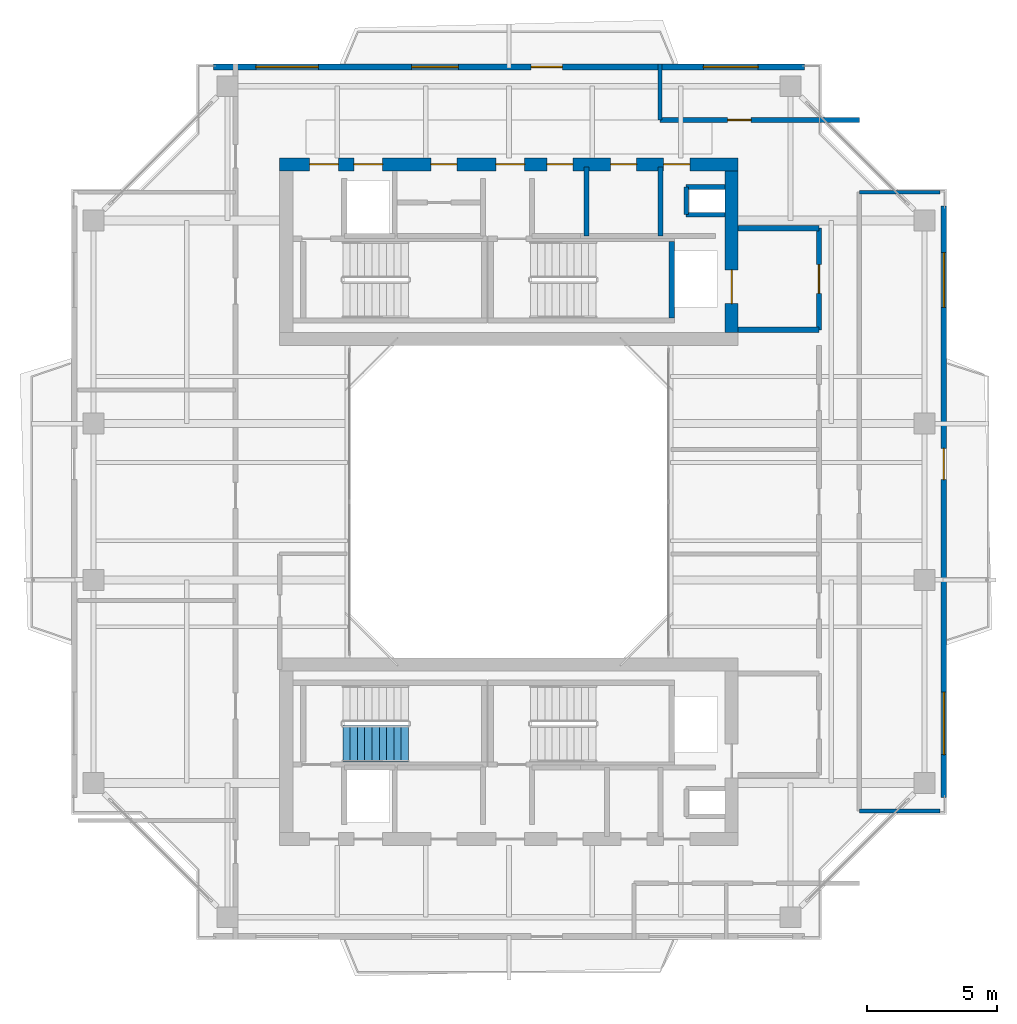
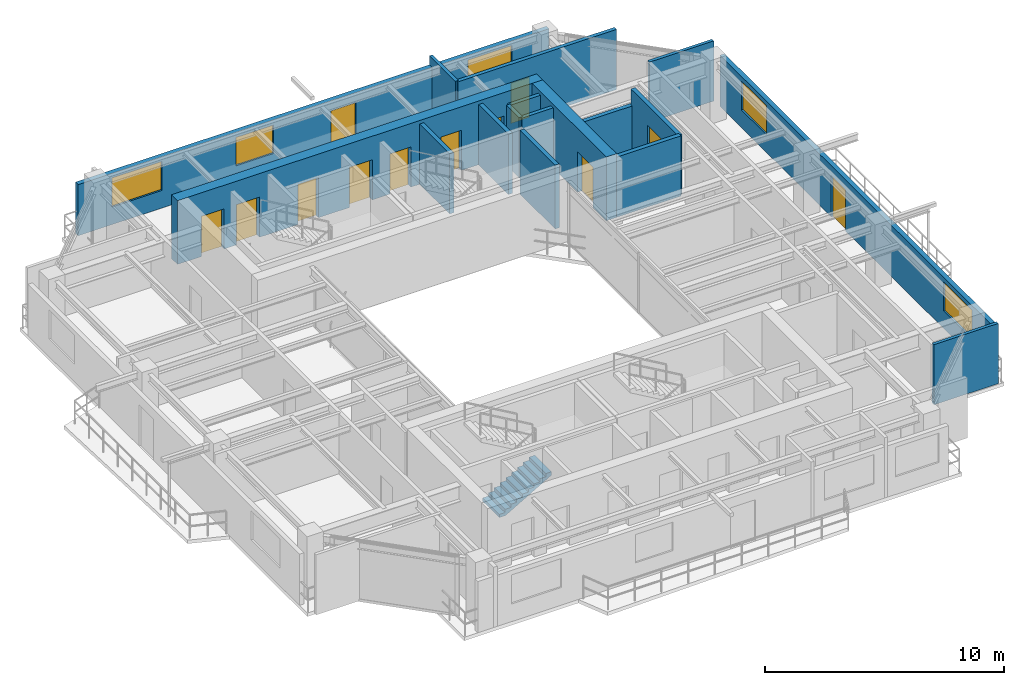
# One storey, part 12 of 15: 17 walls, 12 doors, 5 windows, 1 stair flight, 17 openings, 1 element without a shape of its own.
"""IFC4 building model written with IfcOpenShell, lengths in metres."""

from ifc_helpers import new_model, si_unit, direction, frame, frame_2d, origin, place, context, subcontext, project, spatial, polyline, rectangle, outline, extrude, source, transform, mapped, material, layer, layer_set, type_object, element, fill, aggregate, save


model = new_model("IFC4")

# Units and contexts
model_context = context("Model", 3, precision=1e-05, world=origin(), true_north=direction((0.0, 1.0)))
body_context = subcontext(model_context, "Body", "Model", "MODEL_VIEW")
ifc_project = project(units=[si_unit("LENGTHUNIT", "METRE"), si_unit("AREAUNIT", "SQUARE_METRE"), si_unit("VOLUMEUNIT", "CUBIC_METRE"), si_unit("PLANEANGLEUNIT", "RADIAN"), si_unit("MASSUNIT", "GRAM", prefix="KILO"), si_unit("THERMODYNAMICTEMPERATUREUNIT", "KELVIN"), si_unit("POWERUNIT", "WATT")], contexts=[model_context])

# Site, building, storey
site_placement = place(None, origin())
site = spatial("IfcSite", under=ifc_project, at=site_placement, CompositionType="ELEMENT")
building_placement = place(site_placement, origin())
building = spatial("IfcBuilding", under=site, at=building_placement, Name="Qiaomeng Ring Towers", CompositionType="ELEMENT")
storey_placement = place(building_placement, frame((0.0, 0.0, 219.75)))
storey = spatial("IfcBuildingStorey", under=building, at=storey_placement, Name="L64", CompositionType="ELEMENT", Elevation=219.75)

# Wall, openings, windows, door
ifc_material_1 = material(Name="Precast concrete C40", Category="concrete")
ifc_layer_1 = layer(ifc_material_1, 0.219970703125, Name="Precast concrete C40")
ifc_layer_set_1 = layer_set([ifc_layer_1], Name="Precast concrete C40")
wall_type_1 = type_object("IfcWallType", Name="ARC-WL-EW2", PredefinedType="STANDARD", material=ifc_layer_set_1)
wall_1_placement = place(storey_placement, frame((7.64990234375, 39.68994140625, 0.0), z_axis=(0.0, 0.0, 1.0), x_axis=(1.0, 0.0, 0.0)))
wall_1 = element("IfcWall", 1, at=wall_1_placement, inside=storey, type_object=wall_type_1, Name="L64 Tower 1 N Exterior Wall", PredefinedType="STANDARD", context=body_context, shape_type="SweptSolid", body=[
    extrude(rectangle(XDim=22.7001953125, YDim=0.219970703125, at=frame_2d((11.35009765625, 0.0))), origin(), (0.0, 0.0, 1.0), 2.610107421875),
])
opening_1_placement = place(wall_1_placement, frame((12.199951171875, 0.0, 0.0)))
opening_1 = element("IfcOpeningElement", 2, at=opening_1_placement, cuts=wall_1, Name="Opening BD1", PredefinedType="OPENING", context=body_context, shape_type="SweptSolid", body=[
    extrude(rectangle(XDim=1.199951171875, YDim=2.10009765625, at=frame_2d((0.60009765625, 1.050048828125))), frame((0.0, 0.119873046875, 0.0), z_axis=(0.0, -1.0, 0.0), x_axis=(1.0, 0.0, 0.0)), (0.0, 0.0, 1.0), 0.239990234375),
])
opening_2_placement = place(wall_1_placement, frame((1.636962890625, 0.0, 0.89990234375)))
opening_2 = element("IfcOpeningElement", 3, at=opening_2_placement, cuts=wall_1, Name="Opening WN6", PredefinedType="OPENING", context=body_context, shape_type="SweptSolid", body=[
    extrude(rectangle(XDim=2.39990234375, YDim=1.47998046875, at=frame_2d((1.199951171875, 0.739990234375))), frame((0.0, 0.119873046875, 0.0), z_axis=(0.0, -1.0, 0.0), x_axis=(1.0, 0.0, 0.0)), (0.0, 0.0, 1.0), 0.239990234375),
])
opening_3_placement = place(wall_1_placement, frame((7.612060546875, 0.0, 0.89990234375)))
opening_3 = element("IfcOpeningElement", 4, at=opening_3_placement, cuts=wall_1, Name="Opening WN1", PredefinedType="OPENING", context=body_context, shape_type="SweptSolid", body=[
    extrude(rectangle(XDim=1.800048828125, YDim=1.449951171875, at=frame_2d((0.89990234375, 0.72509765625))), frame((0.0, 0.119873046875, 0.0), z_axis=(0.0, -1.0, 0.0), x_axis=(1.0, 0.0, 0.0)), (0.0, 0.0, 1.0), 0.239990234375),
])
opening_4_placement = place(wall_1_placement, frame((18.81201171875, 0.0, 0.89990234375)))
opening_4 = element("IfcOpeningElement", 5, at=opening_4_placement, cuts=wall_1, Name="Opening WN4", PredefinedType="OPENING", context=body_context, shape_type="SweptSolid", body=[
    extrude(rectangle(XDim=2.10009765625, YDim=1.47998046875, at=frame_2d((1.050048828125, 0.739990234375))), frame((0.0, 0.119873046875, 0.0), z_axis=(0.0, -1.0, 0.0), x_axis=(1.0, 0.0, 0.0)), (0.0, 0.0, 1.0), 0.239990234375),
])
ifc_material_2 = material(Name="Low-E dark-grey laminated double glazing", Category="glass")
window_type_1 = type_object("IfcWindowType", Name="ARC-WN-4", PartitioningType="TRIPLE_PANEL_VERTICAL", PredefinedType="WINDOW", material=ifc_material_2)
shared_shape_1 = source(origin(), body_context, "Body", "SweptSolid", [
    extrude(rectangle(XDim=2.10009765625, YDim=1.47998046875, at=frame_2d((1.050048828125, 0.739990234375))), frame((0.0, 0.030029296875, 0.0), z_axis=(0.0, -1.0, 0.0), x_axis=(1.0, 0.0, 0.0)), (0.0, 0.0, 1.0), 0.06005859375),
])
window_1_placement = place(opening_4_placement, origin())
window_1 = element("IfcWindow", 6, at=window_1_placement, inside=storey, type_object=window_type_1, Name="L64 Exterior Window WN4", OverallHeight=1.47998046875, OverallWidth=2.10009765625, PartitioningType="TRIPLE_PANEL_VERTICAL", PredefinedType="WINDOW", context=body_context, shape_type="MappedRepresentation", body=[
    mapped(shared_shape_1, transform((0.0, 0.0, 0.0), x_axis=(1.0, 0.0, 0.0), y_axis=(0.0, 1.0, 0.0), z_axis=(0.0, 0.0, 1.0), scale=1.0)),
])
fill(opening_4, window_1)
window_type_2 = type_object("IfcWindowType", Name="ARC-WN-1", PartitioningType="DOUBLE_PANEL_VERTICAL", PredefinedType="WINDOW", material=ifc_material_2)
shared_shape_2 = source(origin(), body_context, "Body", "SweptSolid", [
    extrude(rectangle(XDim=1.800048828125, YDim=1.449951171875, at=frame_2d((0.89990234375, 0.72509765625))), frame((0.0, 0.030029296875, 0.0), z_axis=(0.0, -1.0, 0.0), x_axis=(1.0, 0.0, 0.0)), (0.0, 0.0, 1.0), 0.06005859375),
])
window_2_placement = place(opening_3_placement, origin())
window_2 = element("IfcWindow", 7, at=window_2_placement, inside=storey, type_object=window_type_2, Name="L64 Exterior Window WN1", OverallHeight=1.449951171875, OverallWidth=1.800048828125, PartitioningType="DOUBLE_PANEL_VERTICAL", PredefinedType="WINDOW", context=body_context, shape_type="MappedRepresentation", body=[
    mapped(shared_shape_2, transform((0.0, 0.0, 0.0), x_axis=(1.0, 0.0, 0.0), y_axis=(0.0, 1.0, 0.0), z_axis=(0.0, 0.0, 1.0), scale=1.0)),
])
fill(opening_3, window_2)
window_type_3 = type_object("IfcWindowType", Name="ARC-WN-6", PartitioningType="TRIPLE_PANEL_VERTICAL", PredefinedType="WINDOW", material=ifc_material_2)
shared_shape_3 = source(origin(), body_context, "Body", "SweptSolid", [
    extrude(rectangle(XDim=2.39990234375, YDim=1.47998046875, at=frame_2d((1.199951171875, 0.739990234375))), frame((0.0, 0.030029296875, 0.0), z_axis=(0.0, -1.0, 0.0), x_axis=(1.0, 0.0, 0.0)), (0.0, 0.0, 1.0), 0.06005859375),
])
window_3_placement = place(opening_2_placement, origin())
window_3 = element("IfcWindow", 8, at=window_3_placement, inside=storey, type_object=window_type_3, Name="L64 Exterior Window WN6", OverallHeight=1.47998046875, OverallWidth=2.39990234375, PartitioningType="TRIPLE_PANEL_VERTICAL", PredefinedType="WINDOW", context=body_context, shape_type="MappedRepresentation", body=[
    mapped(shared_shape_3, transform((0.0, 0.0, 0.0), x_axis=(1.0, 0.0, 0.0), y_axis=(0.0, 1.0, 0.0), z_axis=(0.0, 0.0, 1.0), scale=1.0)),
])
fill(opening_2, window_3)
door_type_1 = type_object("IfcDoorType", Name="ARC-DR-BD1", OperationType="NOTDEFINED", PredefinedType="DOOR", material=ifc_material_2)
shared_shape_4 = source(origin(), body_context, "Body", "SweptSolid", [
    extrude(rectangle(XDim=1.199951171875, YDim=2.10009765625, at=frame_2d((0.60009765625, 1.050048828125))), frame((0.0, 0.02490234375, 0.0), z_axis=(0.0, -1.0, 0.0), x_axis=(1.0, 0.0, 0.0)), (0.0, 0.0, 1.0), 0.050048828125),
])
door_1_placement = place(opening_1_placement, origin())
door_1 = element("IfcDoor", 9, at=door_1_placement, inside=storey, type_object=door_type_1, Name="L64 N Balcony Glazed Door", OperationType="SINGLE_SWING_LEFT", OverallHeight=2.10009765625, OverallWidth=1.199951171875, PredefinedType="DOOR", context=body_context, shape_type="MappedRepresentation", body=[
    mapped(shared_shape_4, transform((0.0, 0.0, 0.0), x_axis=(1.0, 0.0, 0.0), y_axis=(0.0, 1.0, 0.0), z_axis=(0.0, 0.0, 1.0), scale=1.0)),
])
fill(opening_1, door_1)

wall_2_placement = place(storey_placement, frame((35.68994140625, 11.64990234375, 0.0), z_axis=(0.0, 0.0, 1.0), x_axis=(0.0, 1.0, 0.0)))
wall_2 = element("IfcWall", 10, at=wall_2_placement, inside=storey, type_object=wall_type_1, Name="L64 Tower 1 E Exterior Wall", PredefinedType="STANDARD", context=body_context, shape_type="SweptSolid", body=[
    extrude(rectangle(XDim=22.7001953125, YDim=0.219970703125, at=frame_2d((11.35009765625, 0.0))), origin(), (0.0, 0.0, 1.0), 2.610107421875),
])
opening_5_placement = place(wall_2_placement, frame((12.199951171875, 0.0, 0.0)))
opening_5 = element("IfcOpeningElement", 11, at=opening_5_placement, cuts=wall_2, Name="Opening BD1", PredefinedType="OPENING", context=body_context, shape_type="SweptSolid", body=[
    extrude(rectangle(XDim=1.199951171875, YDim=2.10009765625, at=frame_2d((0.60009765625, 1.050048828125))), frame((0.0, 0.119873046875, 0.0), z_axis=(0.0, -1.0, 0.0), x_axis=(1.0, 0.0, 0.0)), (0.0, 0.0, 1.0), 0.239990234375),
])
opening_6_placement = place(wall_2_placement, frame((1.637939453125, 0.0, 0.89990234375)))
opening_6 = element("IfcOpeningElement", 12, at=opening_6_placement, cuts=wall_2, Name="Opening WN6", PredefinedType="OPENING", context=body_context, shape_type="SweptSolid", body=[
    extrude(rectangle(XDim=2.39990234375, YDim=1.47998046875, at=frame_2d((1.199951171875, 0.739990234375))), frame((0.0, 0.119873046875, 0.0), z_axis=(0.0, -1.0, 0.0), x_axis=(1.0, 0.0, 0.0)), (0.0, 0.0, 1.0), 0.239990234375),
])
opening_7_placement = place(wall_2_placement, frame((18.81298828125, 0.0, 0.89990234375)))
opening_7 = element("IfcOpeningElement", 13, at=opening_7_placement, cuts=wall_2, Name="Opening WN4", PredefinedType="OPENING", context=body_context, shape_type="SweptSolid", body=[
    extrude(rectangle(XDim=2.10009765625, YDim=1.47998046875, at=frame_2d((1.050048828125, 0.739990234375))), frame((0.0, 0.119873046875, 0.0), z_axis=(0.0, -1.0, 0.0), x_axis=(1.0, 0.0, 0.0)), (0.0, 0.0, 1.0), 0.239990234375),
])
window_4_placement = place(opening_7_placement, origin())
window_4 = element("IfcWindow", 14, at=window_4_placement, inside=storey, type_object=window_type_1, Name="L64 Exterior Window WN4", OverallHeight=1.47998046875, OverallWidth=2.10009765625, PartitioningType="TRIPLE_PANEL_VERTICAL", PredefinedType="WINDOW", context=body_context, shape_type="MappedRepresentation", body=[
    mapped(shared_shape_1, transform((0.0, 0.0, 0.0), x_axis=(1.0, 0.0, 0.0), y_axis=(0.0, 1.0, 0.0), z_axis=(0.0, 0.0, 1.0), scale=1.0)),
])
fill(opening_7, window_4)
window_5_placement = place(opening_6_placement, origin())
window_5 = element("IfcWindow", 15, at=window_5_placement, inside=storey, type_object=window_type_3, Name="L64 Exterior Window WN6", OverallHeight=1.47998046875, OverallWidth=2.39990234375, PartitioningType="TRIPLE_PANEL_VERTICAL", PredefinedType="WINDOW", context=body_context, shape_type="MappedRepresentation", body=[
    mapped(shared_shape_3, transform((0.0, 0.0, 0.0), x_axis=(1.0, 0.0, 0.0), y_axis=(0.0, 1.0, 0.0), z_axis=(0.0, 0.0, 1.0), scale=1.0)),
])
fill(opening_6, window_5)
door_2_placement = place(opening_5_placement, origin())
door_2 = element("IfcDoor", 16, at=door_2_placement, inside=storey, type_object=door_type_1, Name="L64 E Balcony Glazed Door", OperationType="SINGLE_SWING_LEFT", OverallHeight=2.10009765625, OverallWidth=1.199951171875, PredefinedType="DOOR", context=body_context, shape_type="MappedRepresentation", body=[
    mapped(shared_shape_4, transform((0.0, 0.0, 0.0), x_axis=(1.0, 0.0, 0.0), y_axis=(0.0, 1.0, 0.0), z_axis=(0.0, 0.0, 1.0), scale=1.0)),
])
fill(opening_5, door_2)

# Walls
ifc_material_3 = material(Name="Autoclaved aerated concrete block", Category="concrete")
ifc_layer_2 = layer(ifc_material_3, 0.199951171875, Name="Autoclaved aerated concrete block")
ifc_layer_set_2 = layer_set([ifc_layer_2], Name="Autoclaved aerated concrete block")
wall_type_2 = type_object("IfcWallType", Name="ARC-WL-PW1", PredefinedType="PARTITIONING", material=ifc_layer_set_2)
wall_3_placement = place(storey_placement, frame((27.800048828125, 29.60009765625, 0.0), z_axis=(0.0, 0.0, 1.0), x_axis=(1.0, 0.0, 0.0)))
element("IfcWall", 17, at=wall_3_placement, inside=storey, type_object=wall_type_2, Name="L64 Interior Wall PW1", PredefinedType="PARTITIONING", context=body_context, shape_type="SweptSolid", body=[
    extrude(rectangle(XDim=3.099853515625, YDim=0.199951171875, at=frame_2d((1.5498046875, 0.0))), origin(), (0.0, 0.0, 1.0), 3.070068359375),
])
wall_4_placement = place(storey_placement, frame((27.800048828125, 33.5, 0.0), z_axis=(0.0, 0.0, 1.0), x_axis=(1.0, 0.0, 0.0)))
element("IfcWall", 18, at=wall_4_placement, inside=storey, type_object=wall_type_2, Name="L64 Interior Wall PW1", PredefinedType="PARTITIONING", context=body_context, shape_type="SweptSolid", body=[
    extrude(rectangle(XDim=3.099853515625, YDim=0.199951171875, at=frame_2d((1.5498046875, 0.0))), origin(), (0.0, 0.0, 1.0), 2.264892578125),
])

# Wall, opening, door
wall_5_placement = place(storey_placement, frame((30.89990234375, 29.60009765625, 0.0), z_axis=(0.0, 0.0, 1.0), x_axis=(0.0, 1.0, 0.0)))
wall_5 = element("IfcWall", 19, at=wall_5_placement, inside=storey, type_object=wall_type_2, Name="L64 Interior Wall PW1", PredefinedType="PARTITIONING", context=body_context, shape_type="SweptSolid", body=[
    extrude(rectangle(XDim=3.89990234375, YDim=0.199951171875, at=frame_2d((1.949951171875, 0.0))), origin(), (0.0, 0.0, 1.0), 3.070068359375),
])
opening_8_placement = place(wall_5_placement, frame((1.39990234375, 0.0, 0.0)))
opening_8 = element("IfcOpeningElement", 20, at=opening_8_placement, cuts=wall_5, Name="Opening FD3", PredefinedType="OPENING", context=body_context, shape_type="SweptSolid", body=[
    extrude(rectangle(XDim=1.10009765625, YDim=2.050048828125, at=frame_2d((0.550048828125, 1.02490234375))), frame((0.0, 0.10986328125, 0.0), z_axis=(0.0, -1.0, 0.0), x_axis=(1.0, 0.0, 0.0)), (0.0, 0.0, 1.0), 0.219970703125),
])
ifc_material_4 = material(Name="Galvanised steel", Category="steel")
door_type_2 = type_object("IfcDoorType", Name="ARC-DR-FD3", OperationType="NOTDEFINED", PredefinedType="DOOR", material=ifc_material_4)
shared_shape_5 = source(origin(), body_context, "Body", "SweptSolid", [
    extrude(rectangle(XDim=1.10009765625, YDim=2.050048828125, at=frame_2d((0.550048828125, 1.02490234375))), frame((0.0, 0.02490234375, 0.0), z_axis=(0.0, -1.0, 0.0), x_axis=(1.0, 0.0, 0.0)), (0.0, 0.0, 1.0), 0.050048828125),
])
door_3_placement = place(opening_8_placement, origin())
door_3 = element("IfcDoor", 21, at=door_3_placement, inside=storey, type_object=door_type_2, Name="L64 North FF Lobby Door", OperationType="SINGLE_SWING_RIGHT", OverallHeight=2.050048828125, OverallWidth=1.10009765625, PredefinedType="DOOR", context=body_context, shape_type="MappedRepresentation", body=[
    mapped(shared_shape_5, transform((0.0, 0.0, 0.0), x_axis=(1.0, 0.0, 0.0), y_axis=(0.0, 1.0, 0.0), z_axis=(0.0, 0.0, 1.0), scale=1.0)),
])
fill(opening_8, door_3)

# Walls
for number, where, z_axis, x_axis, name in (
    (22, (24.820068359375, 33.199951171875, 0.0), (0.0, 0.0, 1.0), (0.0, 1.0, 0.0), "L64 Interior Wall PW1"),
    (23, (21.97998046875, 33.199951171875, 0.0), (0.0, 0.0, 1.0), (0.0, 1.0, 0.0), "L64 Interior Wall PW1"),
):
    element("IfcWall", number, at=place(storey_placement, frame(where, z_axis=z_axis, x_axis=x_axis)), inside=storey, type_object=wall_type_2, Name=name, PredefinedType="PARTITIONING", context=body_context, shape_type="SweptSolid", body=[
        extrude(rectangle(XDim=2.650146484375, YDim=0.199951171875, at=frame_2d((1.3251953125, 0.0))), origin(), (0.0, 0.0, 1.0), 3.070068359375),
    ])

# Wall, opening, door
ifc_layer_3 = layer(ifc_material_3, 0.179931640625, Name="Autoclaved aerated concrete block")
ifc_layer_set_3 = layer_set([ifc_layer_3], Name="Autoclaved aerated concrete block")
wall_type_3 = type_object("IfcWallType", Name="ARC-WL-PW2", PredefinedType="PARTITIONING", material=ifc_layer_set_3)
wall_6_placement = place(storey_placement, frame((24.800048828125, 37.64990234375, 0.0), z_axis=(0.0, 0.0, 1.0), x_axis=(1.0, 0.0, 0.0)))
wall_6 = element("IfcWall", 24, at=wall_6_placement, inside=storey, type_object=wall_type_3, Name="L64 Interior Wall PW2", PredefinedType="PARTITIONING", context=body_context, shape_type="SweptSolid", body=[
    extrude(rectangle(XDim=7.64990234375, YDim=0.179931640625, at=frame_2d((3.824951171875, 0.0))), origin(), (0.0, 0.0, 1.0), 3.070068359375),
])
opening_9_placement = place(wall_6_placement, frame((2.590087890625, 0.0, 0.0)))
opening_9 = element("IfcOpeningElement", 25, at=opening_9_placement, cuts=wall_6, Name="Opening ID1", PredefinedType="OPENING", context=body_context, shape_type="SweptSolid", body=[
    extrude(rectangle(XDim=0.89990234375, YDim=2.050048828125, at=frame_2d((0.449951171875, 1.02490234375))), frame((0.0, 0.099853515625, 0.0), z_axis=(0.0, -1.0, 0.0), x_axis=(1.0, 0.0, 0.0)), (0.0, 0.0, 1.0), 0.199951171875),
])
ifc_material_5 = material(Name="Engineered oak timber", Category="wood")
door_type_3 = type_object("IfcDoorType", Name="ARC-DR-ID1", OperationType="NOTDEFINED", PredefinedType="DOOR", material=ifc_material_5)
shared_shape_6 = source(origin(), body_context, "Body", "SweptSolid", [
    extrude(rectangle(XDim=0.89990234375, YDim=2.050048828125, at=frame_2d((0.449951171875, 1.02490234375))), frame((0.0, 0.02490234375, 0.0), z_axis=(0.0, -1.0, 0.0), x_axis=(1.0, 0.0, 0.0)), (0.0, 0.0, 1.0), 0.050048828125),
])
door_4_placement = place(opening_9_placement, origin())
door_4 = element("IfcDoor", 26, at=door_4_placement, inside=storey, type_object=door_type_3, Name="L64 Door ID1", OperationType="SINGLE_SWING_LEFT", OverallHeight=2.050048828125, OverallWidth=0.89990234375, PredefinedType="DOOR", context=body_context, shape_type="MappedRepresentation", body=[
    mapped(shared_shape_6, transform((0.0, 0.0, 0.0), x_axis=(1.0, 0.0, 0.0), y_axis=(0.0, 1.0, 0.0), z_axis=(0.0, 0.0, 1.0), scale=1.0)),
])
fill(opening_9, door_4)

# Walls
ifc_material_6 = material(Name="Gypsum fireboard steel-stud partition", Category="steel")
ifc_layer_4 = layer(ifc_material_6, 0.14990234375, Name="Gypsum fireboard steel-stud partition")
ifc_layer_set_4 = layer_set([ifc_layer_4], Name="Gypsum fireboard steel-stud partition")
wall_type_4 = type_object("IfcWallType", Name="ARC-WL-PW3", PredefinedType="PARTITIONING", material=ifc_layer_set_4)
wall_7_placement = place(storey_placement, frame((24.800048828125, 37.64990234375, 0.0), z_axis=(0.0, 0.0, 1.0), x_axis=(0.0, 1.0, 0.0)))
element("IfcWall", 27, at=wall_7_placement, inside=storey, type_object=wall_type_4, Name="L64 Interior Wall PW3", PredefinedType="PARTITIONING", context=body_context, shape_type="SweptSolid", body=[
    extrude(rectangle(XDim=2.150146484375, YDim=0.14990234375, at=frame_2d((1.0751953125, 0.0))), origin(), (0.0, 0.0, 1.0), 3.070068359375),
])
for number, where, z_axis, x_axis, name in (
    (28, (32.449951171875, 34.8798828125, 0.0), (0.0, 0.0, 1.0), (1.0, 0.0, 0.0), "L64 Interior Wall PW3"),
    (29, (32.449951171875, 11.1201171875, 0.0), (0.0, 0.0, 1.0), (1.0, 0.0, 0.0), "L64 Interior Wall PW3"),
):
    element("IfcWall", number, at=place(storey_placement, frame(where, z_axis=z_axis, x_axis=x_axis)), inside=storey, type_object=wall_type_4, Name=name, PredefinedType="PARTITIONING", context=body_context, shape_type="SweptSolid", body=[
        extrude(rectangle(XDim=3.10009765625, YDim=0.14990234375, at=frame_2d((1.550048828125, 0.0))), origin(), (0.0, 0.0, 1.0), 3.070068359375),
    ])
ifc_material_7 = material(Name="Concrete C40", Category="concrete")
ifc_layer_5 = layer(ifc_material_7, 0.199951171875, Name="Concrete C40")
ifc_layer_set_5 = layer_set([ifc_layer_5], Name="Concrete C40")
wall_type_5 = type_object("IfcWallType", Name="STR-WL-STSHAFT", PredefinedType="SHEAR", material=ifc_layer_set_5)
wall_8_placement = place(storey_placement, frame((25.800048828125, 34.02001953125, 0.0), z_axis=(0.0, 0.0, 1.0), x_axis=(0.0, 1.0, 0.0)))
element("IfcWall", 30, at=wall_8_placement, inside=storey, type_object=wall_type_5, Name="L64 Riser RSR1 West Shaft Wall N", PredefinedType="SHEAR", context=body_context, shape_type="SweptSolid", body=[
    extrude(rectangle(XDim=1.06005859375, YDim=0.179931640625, at=frame_2d((0.530029296875, 0.0))), origin(), (0.0, 0.0, 1.0), 3.070068359375),
])
for number, where, z_axis, x_axis, name in (
    (31, (25.800048828125, 35.080078125, 0.0), (0.0, 0.0, 1.0), (1.0, 0.0, 0.0), "L64 Riser RSR1 North Shaft Wall N"),
    (32, (25.800048828125, 34.02001953125, 0.0), (0.0, 0.0, 1.0), (1.0, 0.0, 0.0), "L64 Riser RSR1 South Shaft Wall N"),
):
    element("IfcWall", number, at=place(storey_placement, frame(where, z_axis=z_axis, x_axis=x_axis)), inside=storey, type_object=wall_type_5, Name=name, PredefinedType="SHEAR", context=body_context, shape_type="SweptSolid", body=[
        extrude(rectangle(XDim=1.5, YDim=0.179931640625, at=frame_2d((0.75, 0.0))), origin(), (0.0, 0.0, 1.0), 3.070068359375),
    ])
wall_9_placement = place(storey_placement, frame((25.25, 30.050048828125, 0.0), z_axis=(0.0, 0.0, 1.0), x_axis=(0.0, 1.0, 0.0)))
element("IfcWall", 33, at=wall_9_placement, inside=storey, type_object=wall_type_5, Name="L64 Stair ST2 East Shaft Shear Wall", PredefinedType="SHEAR", context=body_context, shape_type="SweptSolid", body=[
    extrude(rectangle(XDim=2.93994140625, YDim=0.199951171875, at=frame_2d((1.469970703125, 0.0))), origin(), (0.0, 0.0, 1.0), 3.25),
])

# Wall, openings, doors
ifc_layer_6 = layer(ifc_material_7, 0.5, Name="Concrete C40")
ifc_layer_set_6 = layer_set([ifc_layer_6], Name="Concrete C40")
wall_type_6 = type_object("IfcWallType", Name="STR-WL-SW3", PredefinedType="SHEAR", material=ifc_layer_set_6)
wall_10_placement = place(storey_placement, frame((10.199951171875, 35.949951171875, 0.0), z_axis=(0.0, 0.0, 1.0), x_axis=(1.0, 0.0, 0.0)))
wall_10 = element("IfcWall", 34, at=wall_10_placement, inside=storey, type_object=wall_type_6, Name="L64 T1NC north core shear wall", PredefinedType="SHEAR", context=body_context, shape_type="SweptSolid", body=[
    extrude(rectangle(XDim=17.60009765625, YDim=0.5, at=frame_2d((8.800048828125, 0.0))), origin(), (0.0, 0.0, 1.0), 3.25),
])
opening_10_placement = place(wall_10_placement, frame((1.14990234375, 0.0, 0.0)))
opening_10 = element("IfcOpeningElement", 35, at=opening_10_placement, cuts=wall_10, Name="Opening FD3", PredefinedType="OPENING", context=body_context, shape_type="SweptSolid", body=[
    extrude(rectangle(XDim=1.10009765625, YDim=2.050048828125, at=frame_2d((0.550048828125, 1.02490234375))), frame((0.0, 0.260009765625, 0.0), z_axis=(0.0, -1.0, 0.0), x_axis=(1.0, 0.0, 0.0)), (0.0, 0.0, 1.0), 0.52001953125),
])
opening_11_placement = place(wall_10_placement, frame((8.300048828125, 0.0, 0.0)))
opening_11 = element("IfcOpeningElement", 36, at=opening_11_placement, cuts=wall_10, Name="Opening FD3", PredefinedType="OPENING", context=body_context, shape_type="SweptSolid", body=[
    extrude(rectangle(XDim=1.10009765625, YDim=2.050048828125, at=frame_2d((0.550048828125, 1.02490234375))), frame((0.0, 0.260009765625, 0.0), z_axis=(0.0, -1.0, 0.0), x_axis=(1.0, 0.0, 0.0)), (0.0, 0.0, 1.0), 0.52001953125),
])
opening_12_placement = place(wall_10_placement, frame((2.85009765625, 0.0, 0.0)))
opening_12 = element("IfcOpeningElement", 37, at=opening_12_placement, cuts=wall_10, Name="Opening LD1", PredefinedType="OPENING", context=body_context, shape_type="SweptSolid", body=[
    extrude(rectangle(XDim=1.10009765625, YDim=2.050048828125, at=frame_2d((0.550048828125, 1.02490234375))), frame((0.0, 0.260009765625, 0.0), z_axis=(0.0, -1.0, 0.0), x_axis=(1.0, 0.0, 0.0)), (0.0, 0.0, 1.0), 0.52001953125),
])
opening_13_placement = place(wall_10_placement, frame((5.800048828125, 0.0, 0.0)))
opening_13 = element("IfcOpeningElement", 38, at=opening_13_placement, cuts=wall_10, Name="Opening FD1", PredefinedType="OPENING", context=body_context, shape_type="SweptSolid", body=[
    extrude(rectangle(XDim=1.0, YDim=2.050048828125, at=frame_2d((0.5, 1.02490234375))), frame((0.0, 0.260009765625, 0.0), z_axis=(0.0, -1.0, 0.0), x_axis=(1.0, 0.0, 0.0)), (0.0, 0.0, 1.0), 0.52001953125),
])
opening_14_placement = place(wall_10_placement, frame((14.739990234375, 0.0, 0.0)))
opening_14 = element("IfcOpeningElement", 39, at=opening_14_placement, cuts=wall_10, Name="Opening FD1", PredefinedType="OPENING", context=body_context, shape_type="SweptSolid", body=[
    extrude(rectangle(XDim=1.0, YDim=2.050048828125, at=frame_2d((0.5, 1.02490234375))), frame((0.0, 0.260009765625, 0.0), z_axis=(0.0, -1.0, 0.0), x_axis=(1.0, 0.0, 0.0)), (0.0, 0.0, 1.0), 0.52001953125),
])
opening_15_placement = place(wall_10_placement, frame((10.25, 0.0, 0.0)))
opening_15 = element("IfcOpeningElement", 40, at=opening_15_placement, cuts=wall_10, Name="Opening FD1", PredefinedType="OPENING", context=body_context, shape_type="SweptSolid", body=[
    extrude(rectangle(XDim=1.0, YDim=2.050048828125, at=frame_2d((0.5, 1.02490234375))), frame((0.0, 0.260009765625, 0.0), z_axis=(0.0, -1.0, 0.0), x_axis=(1.0, 0.0, 0.0)), (0.0, 0.0, 1.0), 0.52001953125),
])
opening_16_placement = place(wall_10_placement, frame((12.699951171875, 0.0, 0.0)))
opening_16 = element("IfcOpeningElement", 41, at=opening_16_placement, cuts=wall_10, Name="Opening FD1", PredefinedType="OPENING", context=body_context, shape_type="SweptSolid", body=[
    extrude(rectangle(XDim=1.0, YDim=2.050048828125, at=frame_2d((0.5, 1.02490234375))), frame((0.0, 0.260009765625, 0.0), z_axis=(0.0, -1.0, 0.0), x_axis=(1.0, 0.0, 0.0)), (0.0, 0.0, 1.0), 0.52001953125),
])
door_5_placement = place(opening_10_placement, origin())
door_5 = element("IfcDoor", 42, at=door_5_placement, inside=storey, type_object=door_type_2, Name="L64 Stair ST1 Lobby Door", OperationType="SINGLE_SWING_RIGHT", OverallHeight=2.050048828125, OverallWidth=1.10009765625, PredefinedType="DOOR", context=body_context, shape_type="MappedRepresentation", body=[
    mapped(shared_shape_5, transform((0.0, 0.0, 0.0), x_axis=(1.0, 0.0, 0.0), y_axis=(0.0, 1.0, 0.0), z_axis=(0.0, 0.0, 1.0), scale=1.0)),
])
fill(opening_10, door_5)
door_6_placement = place(opening_11_placement, origin())
door_6 = element("IfcDoor", 43, at=door_6_placement, inside=storey, type_object=door_type_2, Name="L64 Stair ST2 Lobby Door", OperationType="SINGLE_SWING_RIGHT", OverallHeight=2.050048828125, OverallWidth=1.10009765625, PredefinedType="DOOR", context=body_context, shape_type="MappedRepresentation", body=[
    mapped(shared_shape_5, transform((0.0, 0.0, 0.0), x_axis=(1.0, 0.0, 0.0), y_axis=(0.0, 1.0, 0.0), z_axis=(0.0, 0.0, 1.0), scale=1.0)),
])
fill(opening_11, door_6)
ifc_material_8 = material(Name="Stainless steel 316", Category="steel")
door_type_4 = type_object("IfcDoorType", Name="ARC-DR-LD1", OperationType="NOTDEFINED", PredefinedType="DOOR", material=ifc_material_8)
door_7_placement = place(opening_12_placement, origin())
door_7 = element("IfcDoor", 44, at=door_7_placement, inside=storey, type_object=door_type_4, Name="L64 High-Zone Lift LP5 Landing Door", OperationType="SLIDING_TO_LEFT", OverallHeight=2.050048828125, OverallWidth=1.10009765625, PredefinedType="DOOR", context=body_context, shape_type="MappedRepresentation", body=[
    mapped(shared_shape_5, transform((0.0, 0.0, 0.0), x_axis=(1.0, 0.0, 0.0), y_axis=(0.0, 1.0, 0.0), z_axis=(0.0, 0.0, 1.0), scale=1.0)),
])
fill(opening_12, door_7)
door_type_5 = type_object("IfcDoorType", Name="ARC-DR-FD1", OperationType="NOTDEFINED", PredefinedType="DOOR", material=ifc_material_4)
shared_shape_7 = source(origin(), body_context, "Body", "SweptSolid", [
    extrude(rectangle(XDim=1.0, YDim=2.050048828125, at=frame_2d((0.5, 1.02490234375))), frame((0.0, 0.02490234375, 0.0), z_axis=(0.0, -1.0, 0.0), x_axis=(1.0, 0.0, 0.0)), (0.0, 0.0, 1.0), 0.050048828125),
])
door_8_placement = place(opening_13_placement, origin())
door_8 = element("IfcDoor", 45, at=door_8_placement, inside=storey, type_object=door_type_5, Name="L64 High-Zone Tea Pantry Door", OperationType="SINGLE_SWING_LEFT", OverallHeight=2.050048828125, OverallWidth=1.0, PredefinedType="DOOR", context=body_context, shape_type="MappedRepresentation", body=[
    mapped(shared_shape_7, transform((0.0, 0.0, 0.0), x_axis=(1.0, 0.0, 0.0), y_axis=(0.0, 1.0, 0.0), z_axis=(0.0, 0.0, 1.0), scale=1.0)),
])
fill(opening_13, door_8)
door_9_placement = place(opening_14_placement, origin())
door_9 = element("IfcDoor", 46, at=door_9_placement, inside=storey, type_object=door_type_5, Name="L64 North Electrical Riser Door", OperationType="SINGLE_SWING_LEFT", OverallHeight=2.050048828125, OverallWidth=1.0, PredefinedType="DOOR", context=body_context, shape_type="MappedRepresentation", body=[
    mapped(shared_shape_7, transform((0.0, 0.0, 0.0), x_axis=(1.0, 0.0, 0.0), y_axis=(0.0, 1.0, 0.0), z_axis=(0.0, 0.0, 1.0), scale=1.0)),
])
fill(opening_14, door_9)
door_10_placement = place(opening_15_placement, origin())
door_10 = element("IfcDoor", 47, at=door_10_placement, inside=storey, type_object=door_type_5, Name="L64 North Cleaners Store Door", OperationType="SINGLE_SWING_LEFT", OverallHeight=2.050048828125, OverallWidth=1.0, PredefinedType="DOOR", context=body_context, shape_type="MappedRepresentation", body=[
    mapped(shared_shape_7, transform((0.0, 0.0, 0.0), x_axis=(1.0, 0.0, 0.0), y_axis=(0.0, 1.0, 0.0), z_axis=(0.0, 0.0, 1.0), scale=1.0)),
])
fill(opening_15, door_10)
door_11_placement = place(opening_16_placement, origin())
door_11 = element("IfcDoor", 48, at=door_11_placement, inside=storey, type_object=door_type_5, Name="L64 North Facilities Management Office Door", OperationType="SINGLE_SWING_RIGHT", OverallHeight=2.050048828125, OverallWidth=1.0, PredefinedType="DOOR", context=body_context, shape_type="MappedRepresentation", body=[
    mapped(shared_shape_7, transform((0.0, 0.0, 0.0), x_axis=(1.0, 0.0, 0.0), y_axis=(0.0, 1.0, 0.0), z_axis=(0.0, 0.0, 1.0), scale=1.0)),
])
fill(opening_16, door_11)

# Wall, opening, door
wall_11_placement = place(storey_placement, frame((27.550048828125, 29.5, 0.0), z_axis=(0.0, 0.0, 1.0), x_axis=(0.0, 1.0, 0.0)))
wall_11 = element("IfcWall", 49, at=wall_11_placement, inside=storey, type_object=wall_type_6, Name="L64 T1NC east core shear wall", PredefinedType="SHEAR", context=body_context, shape_type="SweptSolid", body=[
    extrude(rectangle(XDim=6.199951171875, YDim=0.5, at=frame_2d((3.10009765625, 0.0))), origin(), (0.0, 0.0, 1.0), 3.25),
])
opening_17_placement = place(wall_11_placement, frame((1.10009765625, 0.0, 0.0)))
opening_17 = element("IfcOpeningElement", 50, at=opening_17_placement, cuts=wall_11, Name="Opening LD2", PredefinedType="OPENING", context=body_context, shape_type="SweptSolid", body=[
    extrude(rectangle(XDim=1.300048828125, YDim=2.050048828125, at=frame_2d((0.64990234375, 1.02490234375))), frame((0.0, 0.260009765625, 0.0), z_axis=(0.0, -1.0, 0.0), x_axis=(1.0, 0.0, 0.0)), (0.0, 0.0, 1.0), 0.52001953125),
])
door_type_6 = type_object("IfcDoorType", Name="ARC-DR-LD2", OperationType="NOTDEFINED", PredefinedType="DOOR", material=ifc_material_8)
shared_shape_8 = source(origin(), body_context, "Body", "SweptSolid", [
    extrude(rectangle(XDim=1.300048828125, YDim=2.050048828125, at=frame_2d((0.64990234375, 1.02490234375))), frame((0.0, 0.02490234375, 0.0), z_axis=(0.0, -1.0, 0.0), x_axis=(1.0, 0.0, 0.0)), (0.0, 0.0, 1.0), 0.050048828125),
])
door_12_placement = place(opening_17_placement, origin())
door_12 = element("IfcDoor", 51, at=door_12_placement, inside=storey, type_object=door_type_6, Name="L64 Firefighting Lift FL1 Landing Door", OperationType="SLIDING_TO_LEFT", OverallHeight=2.050048828125, OverallWidth=1.300048828125, PredefinedType="DOOR", context=body_context, shape_type="MappedRepresentation", body=[
    mapped(shared_shape_8, transform((0.0, 0.0, 0.0), x_axis=(1.0, 0.0, 0.0), y_axis=(0.0, 1.0, 0.0), z_axis=(0.0, 0.0, 1.0), scale=1.0)),
])
fill(opening_17, door_12)

# Stair, stair flight
stair_type = type_object("IfcStairType", Name="ARC-ST-325", PredefinedType="HALF_TURN_STAIR", material=ifc_material_1)
stair_placement = place(storey_placement, origin())
stair = element("IfcStair", 52, at=stair_placement, inside=storey, type_object=stair_type, Name="L64 Tower 1 South Stair 3", PredefinedType="HALF_TURN_STAIR")
stair_flight_type = type_object("IfcStairFlightType", Name="ARC-ST-325-FL", PredefinedType="STRAIGHT", material=ifc_material_1)
shared_shape_9 = source(origin(), body_context, "Body", "SweptSolid", [
    extrude(outline(polyline([(0.0, 0.0), (0.0, 0.16259765625), (0.280029296875, 0.16259765625), (0.280029296875, 0.324951171875), (0.56005859375, 0.324951171875), (0.56005859375, 0.487548828125), (0.840087890625, 0.487548828125), (0.840087890625, 0.64990234375), (1.1201171875, 0.64990234375), (1.1201171875, 0.8125), (1.39990234375, 0.8125), (1.39990234375, 0.97509765625), (1.679931640625, 0.97509765625), (1.679931640625, 1.137451171875), (1.9599609375, 1.137451171875), (1.9599609375, 1.300048828125), (2.239990234375, 1.300048828125), (2.239990234375, 1.46240234375), (2.52001953125, 1.46240234375), (2.52001953125, 1.625), (2.52001953125, 1.2890625), (0.298583984375, 0.0), (0.0, 0.0)])), frame((0.0, 0.699951171875, 0.0), z_axis=(0.0, -1.0, 0.0), x_axis=(1.0, 0.0, 0.0)), (0.0, 0.0, 1.0), 1.39990234375),
])
stair_flight_placement = place(storey_placement, frame((12.6201171875, 13.7099609375, 0.0), z_axis=(0.0, 0.0, 1.0), x_axis=(1.0, 0.0, 0.0)))
stair_flight = element("IfcStairFlight", 53, at=stair_flight_placement, type_object=stair_flight_type, Name="ST3 flight 1", NumberOfRisers=10, NumberOfTreads=9, PredefinedType="STRAIGHT", RiserHeight=0.1625, TreadLength=0.28, context=body_context, shape_type="MappedRepresentation", body=[
    mapped(shared_shape_9, transform((0.0, 0.0, 0.0), x_axis=(1.0, 0.0, 0.0), y_axis=(0.0, 1.0, 0.0), z_axis=(0.0, 0.0, 1.0), scale=1.0)),
])
aggregate(stair, [stair_flight])

save(model, "model.ifc")
